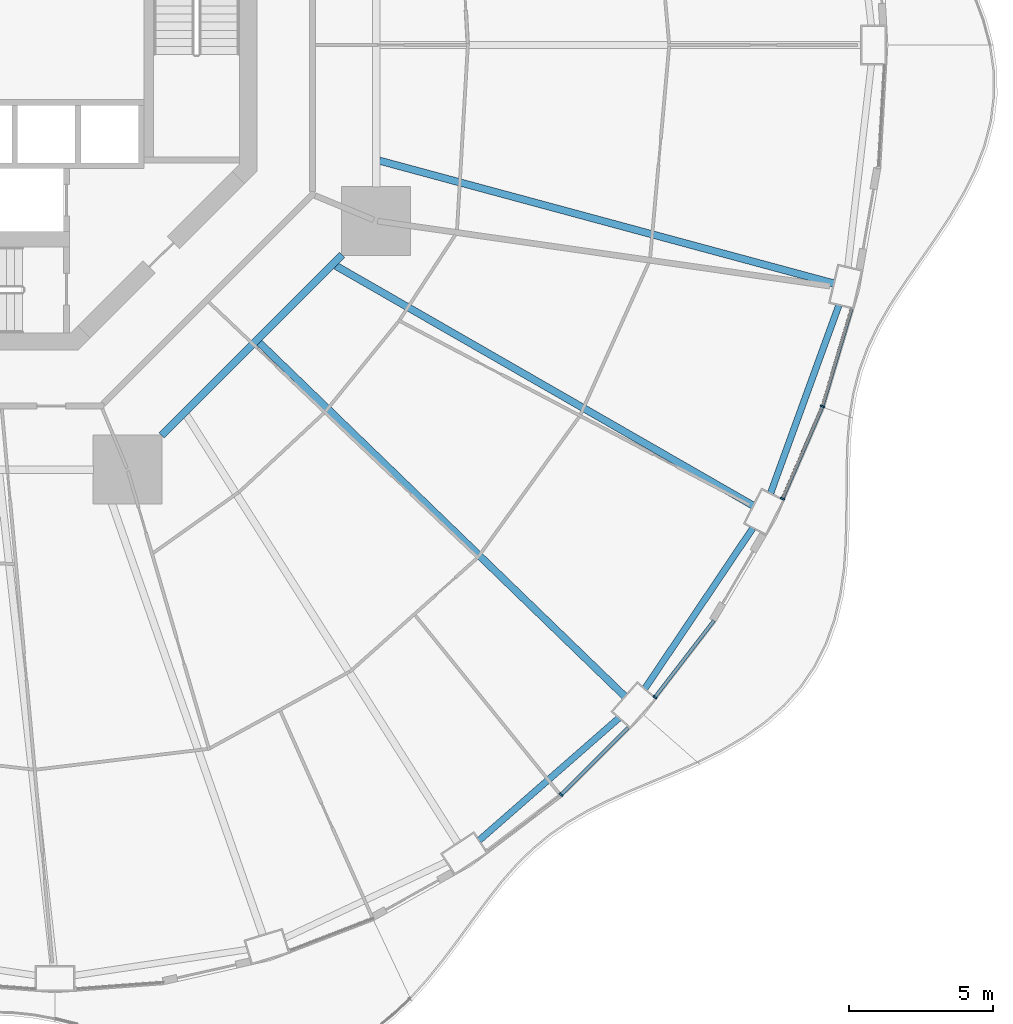
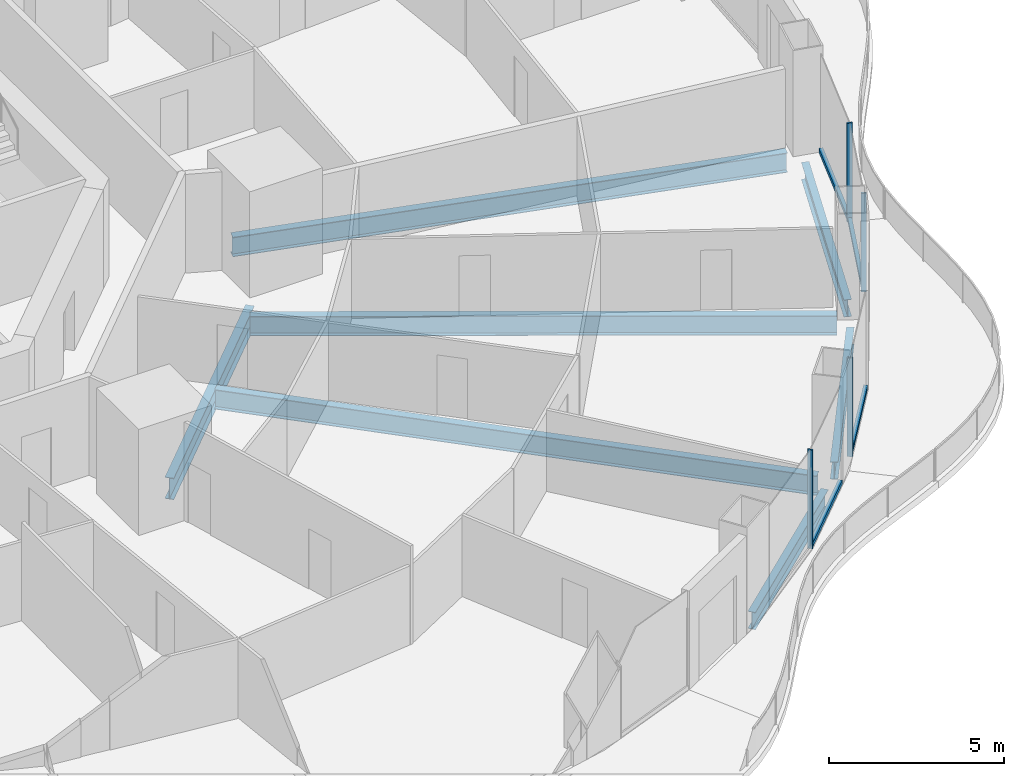
# One storey, part 5 of 22: 8 members, 7 beams, 4 elements without a shape of their own.
"""IFC4 building model written with IfcOpenShell, lengths in metres."""

from ifc_helpers import new_model, si_unit, direction, frame, origin, origin_2d, place, context, subcontext, project, spatial, rectangle, i_section, extrude, material, layer, layer_set, material_profile, profile_set, type_object, element, aggregate, save


model = new_model("IFC4")

# Units and contexts
model_context = context("Model", 3, precision=1e-05, world=origin(), true_north=direction((0.0, 1.0)))
body_context = subcontext(model_context, "Body", "Model", "MODEL_VIEW")
ifc_project = project(units=[si_unit("LENGTHUNIT", "METRE"), si_unit("AREAUNIT", "SQUARE_METRE"), si_unit("VOLUMEUNIT", "CUBIC_METRE"), si_unit("PLANEANGLEUNIT", "RADIAN"), si_unit("MASSUNIT", "GRAM", prefix="KILO")], contexts=[model_context])

# Site, building, storey
site_placement = place(None, origin())
site = spatial("IfcSite", under=ifc_project, at=site_placement, CompositionType="ELEMENT")
building_placement = place(site_placement, origin())
building = spatial("IfcBuilding", under=site, at=building_placement, Name="Nagisa Residences", CompositionType="ELEMENT")
storey_placement = place(building_placement, frame((0.0, 0.0, 34.39990234375)))
storey = spatial("IfcBuildingStorey", under=building, at=storey_placement, Name="L07", CompositionType="ELEMENT", Elevation=34.39990234375)

# Curtain wall, member
ifc_material_1 = material(Name="Concrete-coloured aluminium curtain wall system", Category="concrete")
ifc_layer = layer(ifc_material_1, 0.159912109375)
ifc_layer_set = layer_set([ifc_layer], Name="CW1 CURTAIN WALL")
curtain_wall_type = type_object("IfcCurtainWallType", Name="CW1 CURTAIN WALL", PredefinedType="NOTDEFINED", material=ifc_layer_set)
curtain_wall_1_placement = place(storey_placement, origin())
curtain_wall_1 = element("IfcCurtainWall", 1, at=curtain_wall_1_placement, inside=storey, type_object=curtain_wall_type, Name="cw:CW1:L07:41", PredefinedType="NOTDEFINED")
ifc_material_2 = material(Name="Concrete-coloured aluminium", Category="concrete")
ifc_material_profile_1 = material_profile(ifc_material_2, rectangle(XDim=0.159912109375, YDim=0.06005859375, at=origin_2d()), Name="CW1 MULLION 160x60")
ifc_profile_set_1 = profile_set([ifc_material_profile_1], Name="Concrete-coloured aluminium")
member_type_1 = type_object("IfcMemberType", Name="CW1 MULLION 160x60", PredefinedType="MULLION", material=ifc_profile_set_1)
member_1_placement = place(storey_placement, frame((21.21875, -26.102783203125, 0.0), z_axis=(0.0, 0.0, 1.0), x_axis=(-0.706376885714, 0.707835924016, 0.0)))
member_1 = element("IfcMember", 2, at=member_1_placement, type_object=member_type_1, Name="CW1 mullion", PredefinedType="MULLION", context=body_context, shape_type="SweptSolid", body=[
    extrude(rectangle(XDim=0.159912109375, YDim=0.06005859375, at=origin_2d()), origin(), (0.0, 0.0, 1.0), 3.440185546875),
])

curtain_wall_2_placement = place(storey_placement, origin())
curtain_wall_2 = element("IfcCurtainWall", 3, at=curtain_wall_2_placement, inside=storey, type_object=curtain_wall_type, Name="cw:CW1:L07:42", PredefinedType="NOTDEFINED")
member_2_placement = place(storey_placement, frame((24.48828125, -22.70751953125, 0.0), z_axis=(0.0, 0.0, 1.0), x_axis=(-0.792070340816, 0.610429828235, 0.0)))
member_2 = element("IfcMember", 4, at=member_2_placement, type_object=member_type_1, Name="CW1 mullion", PredefinedType="MULLION", context=body_context, shape_type="SweptSolid", body=[
    extrude(rectangle(XDim=0.159912109375, YDim=0.06005859375, at=origin_2d()), origin(), (0.0, 0.0, 1.0), 3.440185546875),
])

curtain_wall_3_placement = place(storey_placement, origin())
curtain_wall_3 = element("IfcCurtainWall", 5, at=curtain_wall_3_placement, inside=storey, type_object=curtain_wall_type, Name="cw:CW1:L07:44", PredefinedType="NOTDEFINED")
member_3_placement = place(storey_placement, frame((28.931640625, -15.79833984375, 0.0), z_axis=(0.0, 0.0, 1.0), x_axis=(-0.917543276295, 0.397635934147, 0.0)))
member_3 = element("IfcMember", 6, at=member_3_placement, type_object=member_type_1, Name="CW1 mullion", PredefinedType="MULLION", context=body_context, shape_type="SweptSolid", body=[
    extrude(rectangle(XDim=0.159912109375, YDim=0.06005859375, at=origin_2d()), origin(), (0.0, 0.0, 1.0), 3.440185546875),
])

curtain_wall_4_placement = place(storey_placement, origin())
curtain_wall_4 = element("IfcCurtainWall", 7, at=curtain_wall_4_placement, inside=storey, type_object=curtain_wall_type, Name="cw:CW1:L07:45", PredefinedType="NOTDEFINED")
member_4_placement = place(storey_placement, frame((30.324462890625, -12.576904296875, 0.0), z_axis=(0.0, 0.0, 1.0), x_axis=(-0.958271310082, 0.285860274038, 0.0)))
member_4 = element("IfcMember", 8, at=member_4_placement, type_object=member_type_1, Name="CW1 mullion", PredefinedType="MULLION", context=body_context, shape_type="SweptSolid", body=[
    extrude(rectangle(XDim=0.159912109375, YDim=0.06005859375, at=origin_2d()), origin(), (0.0, 0.0, 1.0), 3.440185546875),
])

# Member
ifc_material_3 = material(Name="Concrete-coloured aluminium", Category="concrete")
ifc_material_profile_2 = material_profile(ifc_material_3, rectangle(XDim=0.1201171875, YDim=0.14990234375, at=origin_2d()), Name="CW1 TRANSOM 120x150")
ifc_profile_set_2 = profile_set([ifc_material_profile_2], Name="Concrete-coloured aluminium")
member_type_2 = type_object("IfcMemberType", Name="CW1 TRANSOM 120x150", PredefinedType="USERDEFINED", material=ifc_profile_set_2)
member_5_placement = place(storey_placement, frame((21.197509765625, -26.1240234375, 0.0751953125), z_axis=(0.707876350734, 0.706336373176, 0.0), x_axis=(-0.706336373176, 0.707876350734, 0.0)))
member_5 = element("IfcMember", 9, at=member_5_placement, type_object=member_type_2, Name="CW1 transom", ObjectType="TRANSOM", PredefinedType="USERDEFINED", context=body_context, shape_type="SweptSolid", body=[
    extrude(rectangle(XDim=0.1201171875, YDim=0.14990234375, at=origin_2d()), origin(), (0.0, 0.0, 1.0), 3.329345703125),
])

aggregate(curtain_wall_1, [member_1, member_5])

member_6_placement = place(storey_placement, frame((24.469970703125, -22.731201171875, 0.0751953125), z_axis=(0.610457147657, 0.792049285635, 0.0), x_axis=(-0.792049285635, 0.610457147657, 0.0)))
member_6 = element("IfcMember", 10, at=member_6_placement, type_object=member_type_2, Name="CW1 transom", ObjectType="TRANSOM", PredefinedType="USERDEFINED", context=body_context, shape_type="SweptSolid", body=[
    extrude(rectangle(XDim=0.1201171875, YDim=0.14990234375, at=origin_2d()), origin(), (0.0, 0.0, 1.0), 3.3974609375),
])

aggregate(curtain_wall_2, [member_2, member_6])

member_7_placement = place(storey_placement, frame((28.919677734375, -15.825927734375, 0.0751953125), z_axis=(0.397624958345, 0.917548032803, 0.0), x_axis=(-0.917548032803, 0.397624958345, 0.0)))
member_7 = element("IfcMember", 11, at=member_7_placement, type_object=member_type_2, Name="CW1 transom", ObjectType="TRANSOM", PredefinedType="USERDEFINED", context=body_context, shape_type="SweptSolid", body=[
    extrude(rectangle(XDim=0.1201171875, YDim=0.14990234375, at=origin_2d()), origin(), (0.0, 0.0, 1.0), 3.51953125),
])

aggregate(curtain_wall_3, [member_3, member_7])

member_8_placement = place(storey_placement, frame((30.31591796875, -12.605712890625, 0.0751953125), z_axis=(0.285871309426, 0.958268018065, 0.0), x_axis=(-0.958268018065, 0.285871309426, 0.0)))
member_8 = element("IfcMember", 12, at=member_8_placement, type_object=member_type_2, Name="CW1 transom", ObjectType="TRANSOM", PredefinedType="USERDEFINED", context=body_context, shape_type="SweptSolid", body=[
    extrude(rectangle(XDim=0.1201171875, YDim=0.14990234375, at=origin_2d()), origin(), (0.0, 0.0, 1.0), 3.5654296875),
])

aggregate(curtain_wall_4, [member_4, member_8])

# Beams
ifc_material_4 = material(Name="Steel ASTM A572 Gr 50", Category="steel")
ifc_material_profile_3 = material_profile(ifc_material_4, i_section(OverallWidth=0.264892578125, OverallDepth=0.7529296875, WebThickness=0.01318359375, FlangeThickness=0.01708984375, at=origin_2d()), Name="W760x147")
ifc_profile_set_3 = profile_set([ifc_material_profile_3], Name="Steel ASTM A572 Gr 50")
beam_type_1 = type_object("IfcBeamType", Name="Inner ring beam W760x147", PredefinedType="BEAM", material=ifc_profile_set_3)
beam_1_placement = place(storey_placement, frame((7.308837890625, -13.59619140625, -0.636474609375), z_axis=(0.707106781187, 0.707106781187, 0.0), x_axis=(-0.707106781187, 0.707106781187, 0.0)))
element("IfcBeam", 13, at=beam_1_placement, inside=storey, type_object=beam_type_1, Name="beam:L07:ib7", PredefinedType="BEAM", context=body_context, shape_type="SweptSolid", body=[
    extrude(i_section(OverallWidth=0.264892578125, OverallDepth=0.7529296875, WebThickness=0.01318359375, FlangeThickness=0.01708984375, at=origin_2d()), origin(), (0.0, 0.0, 1.0), 8.8916015625),
])
ifc_material_5 = material(Name="Steel ASTM A572 Gr 50", Category="steel")
ifc_material_profile_4 = material_profile(ifc_material_5, i_section(OverallWidth=0.22802734375, OverallDepth=0.60302734375, WebThickness=0.010498046875, FlangeThickness=0.014892578125, at=origin_2d()), Name="W610x101")
ifc_profile_set_4 = profile_set([ifc_material_profile_4], Name="Steel ASTM A572 Gr 50")
beam_type_2 = type_object("IfcBeamType", Name="Perimeter ring beam W610x101", PredefinedType="BEAM", material=ifc_profile_set_4)
beam_2_placement = place(storey_placement, frame((18.36669921875, -27.693603515625, -0.5615234375), z_axis=(0.7525907186, 0.658488580217, 0.0), x_axis=(-0.658488580217, 0.7525907186, 0.0)))
element("IfcBeam", 14, at=beam_2_placement, inside=storey, type_object=beam_type_2, Name="beam:L07:pb21", PredefinedType="BEAM", context=body_context, shape_type="SweptSolid", body=[
    extrude(i_section(OverallWidth=0.22802734375, OverallDepth=0.60302734375, WebThickness=0.010498046875, FlangeThickness=0.014892578125, at=origin_2d()), origin(), (0.0, 0.0, 1.0), 6.470458984375),
])
beam_3_placement = place(storey_placement, frame((24.135498046875, -22.411865234375, -0.5615234375), z_axis=(0.558271879663, 0.829658067144, 0.0), x_axis=(-0.829658067144, 0.558271879663, 0.0)))
element("IfcBeam", 15, at=beam_3_placement, inside=storey, type_object=beam_type_2, Name="beam:L07:pb22", PredefinedType="BEAM", context=body_context, shape_type="SweptSolid", body=[
    extrude(i_section(OverallWidth=0.22802734375, OverallDepth=0.60302734375, WebThickness=0.010498046875, FlangeThickness=0.014892578125, at=origin_2d()), origin(), (0.0, 0.0, 1.0), 6.74169921875),
])
beam_4_placement = place(storey_placement, frame((28.515625, -15.60595703125, -0.5615234375), z_axis=(0.341411143183, 0.939914055279, 0.0), x_axis=(-0.939914055279, 0.341411143183, 0.0)))
element("IfcBeam", 16, at=beam_4_placement, inside=storey, type_object=beam_type_2, Name="beam:L07:pb23", PredefinedType="BEAM", context=body_context, shape_type="SweptSolid", body=[
    extrude(i_section(OverallWidth=0.22802734375, OverallDepth=0.60302734375, WebThickness=0.010498046875, FlangeThickness=0.014892578125, at=origin_2d()), origin(), (0.0, 0.0, 1.0), 6.96923828125),
])
ifc_material_6 = material(Name="Steel ASTM A572 Gr 50", Category="steel")
ifc_material_profile_5 = material_profile(ifc_material_6, i_section(OverallWidth=0.25390625, OverallDepth=0.68408203125, WebThickness=0.012451171875, FlangeThickness=0.018798828125, at=origin_2d()), Name="W690x140")
ifc_profile_set_5 = profile_set([ifc_material_profile_5], Name="Steel ASTM A572 Gr 50")
beam_type_3 = type_object("IfcBeamType", Name="Radial beam W690x140", PredefinedType="BEAM", material=ifc_profile_set_5)
beam_5_placement = place(storey_placement, frame((23.443115234375, -22.681640625, -0.601806640625), z_axis=(-0.718678305776, 0.695342716081, 0.0), x_axis=(-0.695342716081, -0.718678305776, 0.0)))
element("IfcBeam", 17, at=beam_5_placement, inside=storey, type_object=beam_type_3, Name="beam:L07:rb22", PredefinedType="BEAM", context=body_context, shape_type="SweptSolid", body=[
    extrude(i_section(OverallWidth=0.25390625, OverallDepth=0.68408203125, WebThickness=0.012451171875, FlangeThickness=0.018798828125, at=origin_2d()), origin(), (0.0, 0.0, 1.0), 17.722900390625),
])
beam_6_placement = place(storey_placement, frame((27.908447265625, -16.035400390625, -0.601806640625), z_axis=(-0.867068052258, 0.498189715623, 0.0), x_axis=(-0.498189715623, -0.867068052258, 0.0)))
element("IfcBeam", 18, at=beam_6_placement, inside=storey, type_object=beam_type_3, Name="beam:L07:rb23", PredefinedType="BEAM", context=body_context, shape_type="SweptSolid", body=[
    extrude(i_section(OverallWidth=0.25390625, OverallDepth=0.68408203125, WebThickness=0.012451171875, FlangeThickness=0.018798828125, at=origin_2d()), origin(), (0.0, 0.0, 1.0), 16.758056640625),
])
beam_7_placement = place(storey_placement, frame((30.713623046875, -8.29931640625, -0.601806640625), z_axis=(-0.965375968847, 0.260862490162, 0.0), x_axis=(-0.260862490162, -0.965375968847, 0.0)))
element("IfcBeam", 19, at=beam_7_placement, inside=storey, type_object=beam_type_3, Name="beam:L07:rb24", PredefinedType="BEAM", context=body_context, shape_type="SweptSolid", body=[
    extrude(i_section(OverallWidth=0.25390625, OverallDepth=0.68408203125, WebThickness=0.012451171875, FlangeThickness=0.018798828125, at=origin_2d()), origin(), (0.0, 0.0, 1.0), 16.3857421875),
])

save(model, "model.ifc")
